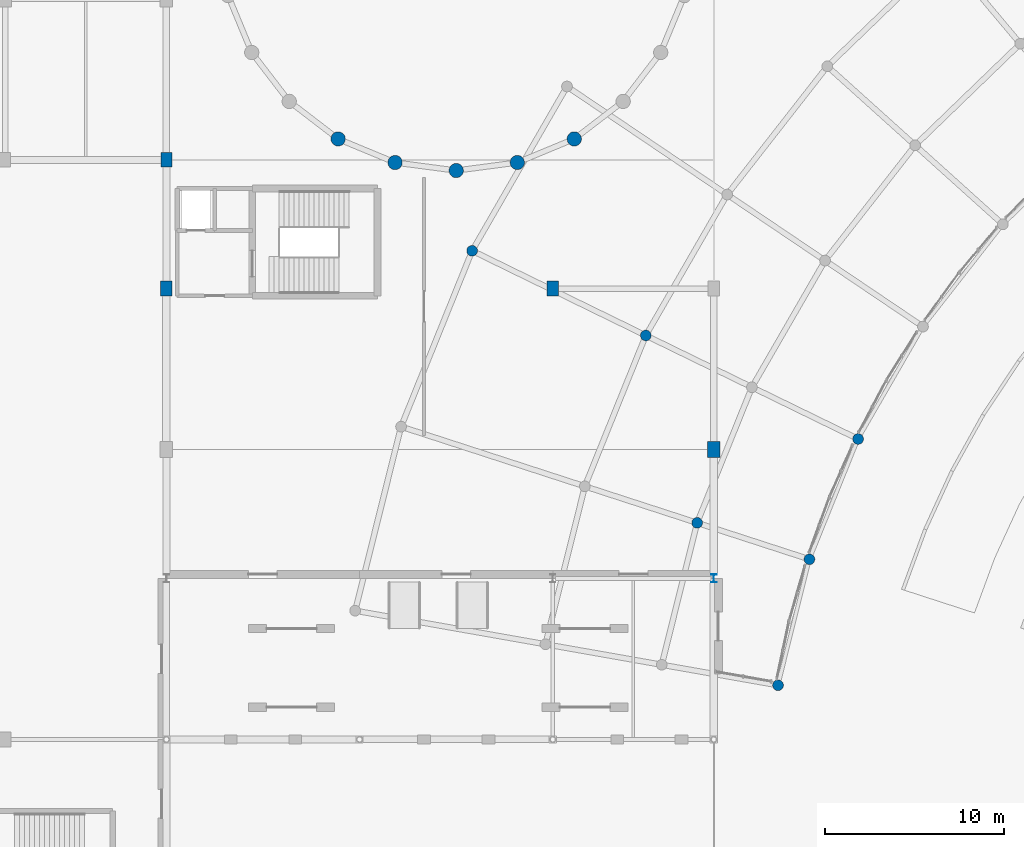
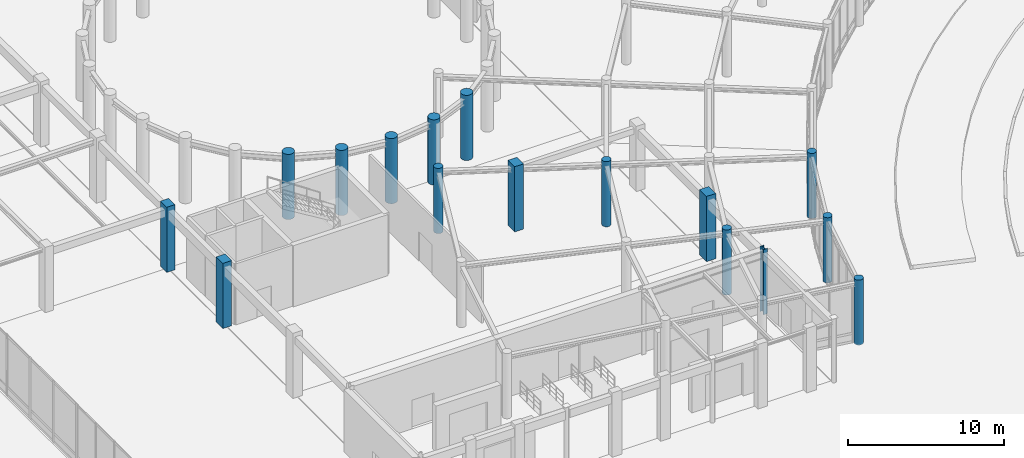
# One storey, part 4 of 64: 16 columns.
"""IFC4 building model written with IfcOpenShell, lengths in metres."""

from ifc_helpers import new_model, si_unit, direction, frame, origin, origin_2d, place, context, subcontext, project, spatial, rectangle, circle, i_section, extrude, material, material_profile, profile_set, type_object, element, save


model = new_model("IFC4")

# Units and contexts
model_context = context("Model", 3, precision=1e-05, world=origin(), true_north=direction((0.0, 1.0)))
body_context = subcontext(model_context, "Body", "Model", "MODEL_VIEW")
ifc_project = project(units=[si_unit("LENGTHUNIT", "METRE"), si_unit("AREAUNIT", "SQUARE_METRE"), si_unit("VOLUMEUNIT", "CUBIC_METRE"), si_unit("PLANEANGLEUNIT", "RADIAN"), si_unit("MASSUNIT", "GRAM", prefix="KILO")], contexts=[model_context])

# Site, building, storey
site_placement = place(None, origin())
site = spatial("IfcSite", under=ifc_project, at=site_placement, CompositionType="ELEMENT")
building_placement = place(site_placement, origin())
building = spatial("IfcBuilding", under=site, at=building_placement, Name="Clarverna Civic Hall", CompositionType="ELEMENT")
storey_placement = place(building_placement, origin())
storey = spatial("IfcBuildingStorey", under=building, at=storey_placement, Name="L00", CompositionType="ELEMENT", Elevation=0.0)

# Columns
ifc_material_1 = material(Name="Concrete C35/45", Category="concrete")
ifc_material_profile_1 = material_profile(ifc_material_1, circle(Radius=0.300048828125, at=origin_2d()), Name="RC D600")
ifc_profile_set_1 = profile_set([ifc_material_profile_1], Name="Concrete C35/45")
column_type_1 = type_object("IfcColumnType", Name="C-CV1", PredefinedType="COLUMN", material=ifc_profile_set_1)
for number, where, z_axis, x_axis, name in (
    (1, (93.398681640625, 36.581787109375, 0.0), (0.0, 0.0, 1.0), (1.0, 0.0, 0.0), "C-CV1-016"),
    (2, (83.691650390625, 41.316162109375, 0.0), (0.0, 0.0, 1.0), (1.0, 0.0, 0.0), "C-CV1-034"),
    (3, (96.26806640625, 26.1083984375, 0.0), (0.0, 0.0, 1.0), (1.0, 0.0, 0.0), "C-CV1-056"),
    (4, (105.2626953125, 30.79541015625, 0.0), (0.0, 0.0, 1.0), (1.0, 0.0, 0.0), "C-CV1-074"),
    (5, (102.545166015625, 24.06884765625, 0.0), (0.0, 0.0, 1.0), (1.0, 0.0, 0.0), "C-CV1-076"),
    (6, (100.7900390625, 17.02978515625, 0.0), (0.0, 0.0, 1.0), (1.0, 0.0, 0.0), "C-CV1-078"),
):
    element("IfcColumn", number, at=place(storey_placement, frame(where, z_axis=z_axis, x_axis=x_axis)), inside=storey, type_object=column_type_1, Name=name, PredefinedType="COLUMN", context=body_context, shape_type="SweptSolid", body=[
        extrude(circle(Radius=0.300048828125, at=origin_2d()), origin(), (0.0, 0.0, 1.0), 5.10009765625),
    ])
ifc_material_profile_2 = material_profile(ifc_material_1, circle(Radius=0.39990234375, at=origin_2d()), Name="RC D800")
ifc_profile_set_2 = profile_set([ifc_material_profile_2], Name="Concrete C35/45")
column_type_2 = type_object("IfcColumnType", Name="C-DR1", PredefinedType="COLUMN", material=ifc_profile_set_2)
for number, where, z_axis, x_axis, name in (
    (7, (76.199951171875, 47.568603515625, 0.0), (0.0, 0.0, 1.0), (1.0, 0.0, 0.0), "C-DR1-034"),
    (8, (79.383544921875, 46.249755859375, 0.0), (0.0, 0.0, 1.0), (1.0, 0.0, 0.0), "C-DR1-036"),
    (9, (82.800048828125, 45.800048828125, 0.0), (0.0, 0.0, 1.0), (1.0, 0.0, 0.0), "C-DR1-038"),
    (10, (86.21630859375, 46.249755859375, 0.0), (0.0, 0.0, 1.0), (1.0, 0.0, 0.0), "C-DR1-040"),
    (11, (89.39990234375, 47.568603515625, 0.0), (0.0, 0.0, 1.0), (1.0, 0.0, 0.0), "C-DR1-042"),
):
    element("IfcColumn", number, at=place(storey_placement, frame(where, z_axis=z_axis, x_axis=x_axis)), inside=storey, type_object=column_type_2, Name=name, PredefinedType="COLUMN", context=body_context, shape_type="SweptSolid", body=[
        extrude(circle(Radius=0.39990234375, at=origin_2d()), origin(), (0.0, 0.0, 1.0), 5.10009765625),
    ])
ifc_material_profile_3 = material_profile(ifc_material_1, rectangle(XDim=0.60009765625, YDim=0.800048828125, at=origin_2d()), Name="RC 600x800")
ifc_profile_set_3 = profile_set([ifc_material_profile_3], Name="Concrete C35/45")
column_type_3 = type_object("IfcColumnType", Name="C-RC15", PredefinedType="COLUMN", material=ifc_profile_set_3)
column_1_placement = place(storey_placement, frame((66.60009765625, 46.39990234375, 0.0), z_axis=(0.0, 0.0, 1.0), x_axis=(1.0, 0.0, 0.0)))
element("IfcColumn", 12, at=column_1_placement, inside=storey, type_object=column_type_3, Name="C-RC15-029", PredefinedType="COLUMN", context=body_context, shape_type="SweptSolid", body=[
    extrude(rectangle(XDim=0.60009765625, YDim=0.800048828125, at=origin_2d()), origin(), (0.0, 0.0, 1.0), 5.10009765625),
])
ifc_material_2 = material(Name="Concrete C40/50", Category="concrete")
ifc_material_profile_4 = material_profile(ifc_material_2, rectangle(XDim=0.699951171875, YDim=0.89990234375, at=origin_2d()), Name="RC 700x900")
ifc_profile_set_4 = profile_set([ifc_material_profile_4], Name="Concrete C40/50")
column_type_4 = type_object("IfcColumnType", Name="C-RC6", PredefinedType="COLUMN", material=ifc_profile_set_4)
column_2_placement = place(storey_placement, frame((97.199951171875, 30.199951171875, 0.0), z_axis=(0.0, 0.0, 1.0), x_axis=(1.0, 0.0, 0.0)))
element("IfcColumn", 13, at=column_2_placement, inside=storey, type_object=column_type_4, Name="C-RC6-073", PredefinedType="COLUMN", context=body_context, shape_type="SweptSolid", body=[
    extrude(rectangle(XDim=0.699951171875, YDim=0.89990234375, at=origin_2d()), origin(), (0.0, 0.0, 1.0), 5.10009765625),
])
ifc_material_profile_5 = material_profile(ifc_material_2, rectangle(XDim=0.64990234375, YDim=0.85009765625, at=origin_2d()), Name="RC 650x850")
ifc_profile_set_5 = profile_set([ifc_material_profile_5], Name="Concrete C40/50")
column_type_5 = type_object("IfcColumnType", Name="C-RC7", PredefinedType="COLUMN", material=ifc_profile_set_5)
for number, where, z_axis, x_axis, name in (
    (14, (66.60009765625, 39.199951171875, 0.0), (0.0, 0.0, 1.0), (1.0, 0.0, 0.0), "C-RC7-030"),
    (15, (88.199951171875, 39.199951171875, 0.0), (0.0, 0.0, 1.0), (1.0, 0.0, 0.0), "C-RC7-035"),
):
    element("IfcColumn", number, at=place(storey_placement, frame(where, z_axis=z_axis, x_axis=x_axis)), inside=storey, type_object=column_type_5, Name=name, PredefinedType="COLUMN", context=body_context, shape_type="SweptSolid", body=[
        extrude(rectangle(XDim=0.64990234375, YDim=0.85009765625, at=origin_2d()), origin(), (0.0, 0.0, 1.0), 5.10009765625),
    ])
ifc_material_3 = material(Name="Steel S355", Category="steel")
ifc_material_profile_6 = material_profile(ifc_material_3, i_section(OverallWidth=0.300048828125, OverallDepth=0.449951171875, WebThickness=0.013916015625, FlangeThickness=0.02587890625, FilletRadius=0.027099609375, at=origin_2d()), Name="HEB 450")
ifc_profile_set_6 = profile_set([ifc_material_profile_6], Name="Steel S355")
column_type_6 = type_object("IfcColumnType", Name="C-ST2", PredefinedType="COLUMN", material=ifc_profile_set_6)
column_3_placement = place(storey_placement, frame((97.199951171875, 23.0, 0.0), z_axis=(0.0, 0.0, 1.0), x_axis=(1.0, 0.0, 0.0)))
element("IfcColumn", 16, at=column_3_placement, inside=storey, type_object=column_type_6, Name="C-ST2-004", PredefinedType="COLUMN", context=body_context, shape_type="SweptSolid", body=[
    extrude(i_section(OverallWidth=0.300048828125, OverallDepth=0.449951171875, WebThickness=0.013916015625, FlangeThickness=0.02587890625, FilletRadius=0.027099609375, at=origin_2d()), origin(), (0.0, 0.0, 1.0), 5.10009765625),
])

save(model, "model.ifc")
